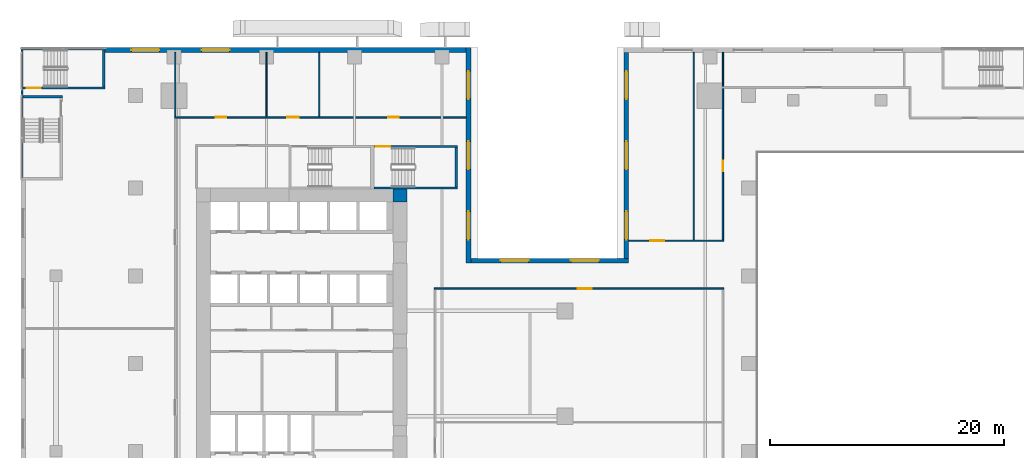
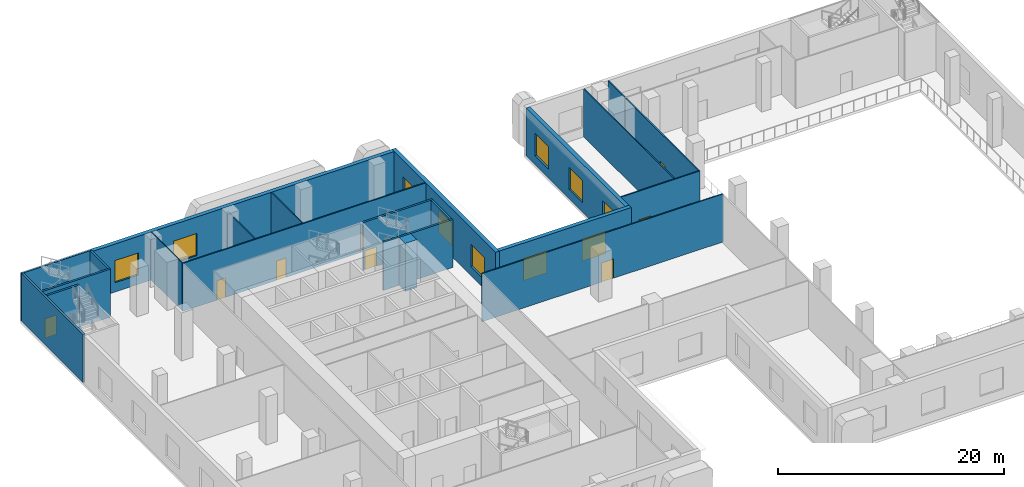
# One storey, part 13 of 23: 22 walls, 10 windows, 8 doors, 18 openings.
"""IFC4 building model written with IfcOpenShell, lengths in metres."""

from ifc_helpers import new_model, si_unit, direction, frame, frame_2d, origin, place, context, subcontext, project, spatial, rectangle, extrude, source, transform, mapped, material, layer, layer_set, type_object, element, fill, save


model = new_model("IFC4")

# Units and contexts
model_context = context("Model", 3, precision=1e-05, world=origin(), true_north=direction((0.0, 1.0)))
body_context = subcontext(model_context, "Body", "Model", "MODEL_VIEW")
ifc_project = project(units=[si_unit("LENGTHUNIT", "METRE"), si_unit("AREAUNIT", "SQUARE_METRE"), si_unit("VOLUMEUNIT", "CUBIC_METRE"), si_unit("PLANEANGLEUNIT", "RADIAN"), si_unit("MASSUNIT", "GRAM", prefix="KILO")], contexts=[model_context])

# Site, building, storey
site_placement = place(None, origin())
site = spatial("IfcSite", under=ifc_project, at=site_placement, CompositionType="ELEMENT")
building_placement = place(site_placement, origin())
building = spatial("IfcBuilding", under=site, at=building_placement, Name="Khomas Fold Tower", CompositionType="ELEMENT")
storey_placement = place(building_placement, frame((0.0, 0.0, 7.5)))
storey = spatial("IfcBuildingStorey", under=building, at=storey_placement, Name="L01", CompositionType="ELEMENT", Elevation=7.5)

# Wall
ifc_material_1 = material(Name="Concrete C70/85", Category="concrete")
ifc_layer_1 = layer(ifc_material_1, 1.10009765625)
ifc_layer_set_1 = layer_set([ifc_layer_1], Name="Concrete C70/85")
wall_type_1 = type_object("IfcWallType", Name="Core corner wall 1100", PredefinedType="SHEAR", material=ifc_layer_set_1)
shared_shape_1 = source(origin(), body_context, "Body", "SweptSolid", [
    extrude(rectangle(XDim=1.199951171875, YDim=1.10009765625, at=frame_2d((0.60009765625, 0.0))), origin(), (0.0, 0.0, 1.0), 5.199951171875),
])
wall_1_placement = place(storey_placement, frame((22.800048828125, 41.35009765625, 0.0), z_axis=(0.0, 0.0, 1.0), x_axis=(1.0, 0.0, 0.0)))
element("IfcWall", 1, at=wall_1_placement, inside=storey, type_object=wall_type_1, Name="Core wall CW-L-NE-B2", PredefinedType="SHEAR", context=body_context, shape_type="MappedRepresentation", body=[
    mapped(shared_shape_1, transform((0.0, 0.0, 0.0))),
])

# Wall, opening, door
ifc_material_2 = material(Name="Concrete C30/37", Category="concrete")
ifc_layer_2 = layer(ifc_material_2, 0.199951171875)
ifc_layer_set_2 = layer_set([ifc_layer_2], Name="Concrete C30/37")
wall_type_2 = type_object("IfcWallType", Name="Stair wall PW5 200", PredefinedType="PARTITIONING", material=ifc_layer_set_2)
shared_shape_2 = source(origin(), body_context, "Body", "SweptSolid", [
    extrude(rectangle(XDim=7.0, YDim=0.199951171875, at=frame_2d((3.5, 0.0))), origin(), (0.0, 0.0, 1.0), 5.199951171875),
])
wall_2_placement = place(storey_placement, frame((-8.800048828125, 50.550048828125, 0.0), z_axis=(0.0, 0.0, 1.0), x_axis=(1.0, 0.0, 0.0)))
wall_2 = element("IfcWall", 2, at=wall_2_placement, inside=storey, type_object=wall_type_2, Name="Stair wall", PredefinedType="PARTITIONING", context=body_context, shape_type="MappedRepresentation", body=[
    mapped(shared_shape_2, transform((0.0, 0.0, 0.0))),
])
shared_shape_3 = source(origin(), body_context, "Body", "SweptSolid", [
    extrude(rectangle(XDim=1.199951171875, YDim=2.10009765625, at=frame_2d((0.60009765625, 1.050048828125))), frame((0.0, 0.10986328125, 0.0), z_axis=(0.0, -1.0, 0.0), x_axis=(1.0, 0.0, 0.0)), (0.0, 0.0, 1.0), 0.219970703125),
])
opening_1_placement = place(wall_2_placement, frame((0.300048828125, 0.0, 0.0)))
opening_1 = element("IfcOpeningElement", 3, at=opening_1_placement, cuts=wall_2, Name="Opening 0018", PredefinedType="OPENING", context=body_context, shape_type="MappedRepresentation", body=[
    mapped(shared_shape_3, transform((0.0, 0.0, 0.0))),
])
ifc_material_3 = material(Name="Steel door leaf", Category="steel")
door_type_1 = type_object("IfcDoorType", Name="Stair door 1200x2100 right-hand", OperationType="SINGLE_SWING_RIGHT", PredefinedType="DOOR", material=ifc_material_3)
shared_shape_4 = source(origin(), body_context, "Body", "SweptSolid", [
    extrude(rectangle(XDim=1.199951171875, YDim=2.10009765625, at=frame_2d((0.60009765625, 1.050048828125))), frame((0.0, 0.02490234375, 0.0), z_axis=(0.0, -1.0, 0.0), x_axis=(1.0, 0.0, 0.0)), (0.0, 0.0, 1.0), 0.050048828125),
])
door_1_placement = place(opening_1_placement, origin())
door_1 = element("IfcDoor", 4, at=door_1_placement, inside=storey, type_object=door_type_1, Name="Stair door", OperationType="SINGLE_SWING_RIGHT", OverallHeight=2.10009765625, OverallWidth=1.199951171875, PredefinedType="DOOR", context=body_context, shape_type="MappedRepresentation", body=[
    mapped(shared_shape_4, transform((0.0, 0.0, 0.0))),
])
fill(opening_1, door_1)

ifc_material_4 = material(Name="Concrete C50/60", Category="concrete")
ifc_layer_3 = layer(ifc_material_4, 0.199951171875)
ifc_layer_set_3 = layer_set([ifc_layer_3], Name="Concrete C50/60")
wall_type_3 = type_object("IfcWallType", Name="Stair wall 200", PredefinedType="SHEAR", material=ifc_layer_set_3)
shared_shape_5 = source(origin(), body_context, "Body", "SweptSolid", [
    extrude(rectangle(XDim=7.10009765625, YDim=0.199951171875, at=frame_2d((3.550048828125, 0.0))), origin(), (0.0, 0.0, 1.0), 5.199951171875),
])
wall_3_placement = place(storey_placement, frame((21.199951171875, 45.550048828125, 0.0), z_axis=(0.0, 0.0, 1.0), x_axis=(1.0, 0.0, 0.0)))
wall_3 = element("IfcWall", 5, at=wall_3_placement, inside=storey, type_object=wall_type_3, Name="Stair wall SW-ST3-N", PredefinedType="SHEAR", context=body_context, shape_type="MappedRepresentation", body=[
    mapped(shared_shape_5, transform((0.0, 0.0, 0.0))),
])
opening_2_placement = place(wall_3_placement, frame((0.14990234375, 0.0, 0.0)))
opening_2 = element("IfcOpeningElement", 6, at=opening_2_placement, cuts=wall_3, Name="Opening SD-ST3", PredefinedType="OPENING", context=body_context, shape_type="MappedRepresentation", body=[
    mapped(shared_shape_3, transform((0.0, 0.0, 0.0))),
])
ifc_material_5 = material(Name="Steel door leaf", Category="steel")
door_type_2 = type_object("IfcDoorType", Name="Stair door 1200x2100 left-hand", OperationType="SINGLE_SWING_LEFT", PredefinedType="DOOR", material=ifc_material_5)
door_2_placement = place(opening_2_placement, origin())
door_2 = element("IfcDoor", 7, at=door_2_placement, inside=storey, type_object=door_type_2, Name="Stair door", OperationType="SINGLE_SWING_LEFT", OverallHeight=2.10009765625, OverallWidth=1.199951171875, PredefinedType="DOOR", context=body_context, shape_type="MappedRepresentation", body=[
    mapped(shared_shape_4, transform((0.0, 0.0, 0.0))),
])
fill(opening_2, door_2)

# Walls
wall_4_placement = place(storey_placement, frame((21.199951171875, 42.0, 0.0), z_axis=(0.0, 0.0, 1.0), x_axis=(1.0, 0.0, 0.0)))
element("IfcWall", 8, at=wall_4_placement, inside=storey, type_object=wall_type_3, Name="Stair wall SW-ST3-S", PredefinedType="SHEAR", context=body_context, shape_type="MappedRepresentation", body=[
    mapped(shared_shape_5, transform((0.0, 0.0, 0.0))),
])
shared_shape_6 = source(origin(), body_context, "Body", "SweptSolid", [
    extrude(rectangle(XDim=3.349853515625, YDim=0.199951171875, at=frame_2d((1.6748046875, 0.0))), origin(), (0.0, 0.0, 1.0), 5.199951171875),
])
wall_5_placement = place(storey_placement, frame((28.199951171875, 42.10009765625, 0.0), z_axis=(0.0, 0.0, 1.0), x_axis=(0.0, 1.0, 0.0)))
element("IfcWall", 9, at=wall_5_placement, inside=storey, type_object=wall_type_3, Name="Stair wall SW-ST3-E", PredefinedType="SHEAR", context=body_context, shape_type="MappedRepresentation", body=[
    mapped(shared_shape_6, transform((0.0, 0.0, 0.0))),
])

# Wall, openings, windows
ifc_material_6 = material(Name="Concrete C40/50", Category="concrete")
ifc_layer_4 = layer(ifc_material_6, 0.39990234375)
ifc_layer_set_4 = layer_set([ifc_layer_4], Name="Concrete C40/50")
wall_type_4 = type_object("IfcWallType", Name="Stone-clad concrete wall 400", PredefinedType="SOLIDWALL", material=ifc_layer_set_4)
shared_shape_7 = source(origin(), body_context, "Body", "SweptSolid", [
    extrude(rectangle(XDim=17.60009765625, YDim=0.39990234375, at=frame_2d((8.800048828125, 0.0))), origin(), (0.0, 0.0, 1.0), 5.199951171875),
])
wall_6_placement = place(storey_placement, frame((42.75, 53.60009765625, 0.0), z_axis=(0.0, 0.0, 1.0), x_axis=(0.0, -1.0, 0.0)))
wall_6 = element("IfcWall", 10, at=wall_6_placement, inside=storey, type_object=wall_type_4, Name="Podium wall", PredefinedType="SOLIDWALL", context=body_context, shape_type="MappedRepresentation", body=[
    mapped(shared_shape_7, transform((0.0, 0.0, 0.0))),
])
shared_shape_8 = source(origin(), body_context, "Body", "SweptSolid", [
    extrude(rectangle(XDim=2.39990234375, YDim=2.39990234375, at=frame_2d((1.199951171875, 1.199951171875))), frame((0.0, 0.2099609375, 0.0), z_axis=(0.0, -1.0, 0.0), x_axis=(1.0, 0.0, 0.0)), (0.0, 0.0, 1.0), 0.419921875),
])
opening_3_placement = place(wall_6_placement, frame((1.60009765625, 0.0, 1.0)))
opening_3 = element("IfcOpeningElement", 11, at=opening_3_placement, cuts=wall_6, Name="Opening PD-WN", PredefinedType="OPENING", context=body_context, shape_type="MappedRepresentation", body=[
    mapped(shared_shape_8, transform((0.0, 0.0, 0.0))),
])
opening_4_placement = place(wall_6_placement, frame((7.60009765625, 0.0, 1.0)))
opening_4 = element("IfcOpeningElement", 12, at=opening_4_placement, cuts=wall_6, Name="Opening PD-WN", PredefinedType="OPENING", context=body_context, shape_type="MappedRepresentation", body=[
    mapped(shared_shape_8, transform((0.0, 0.0, 0.0))),
])
opening_5_placement = place(wall_6_placement, frame((13.60009765625, 0.0, 1.0)))
opening_5 = element("IfcOpeningElement", 13, at=opening_5_placement, cuts=wall_6, Name="Opening PD-WN", PredefinedType="OPENING", context=body_context, shape_type="MappedRepresentation", body=[
    mapped(shared_shape_8, transform((0.0, 0.0, 0.0))),
])
ifc_material_7 = material(Name="Aluminium framed double glazing", Category="aluminium")
window_type = type_object("IfcWindowType", Name="Podium window 2400 x 2400", PartitioningType="SINGLE_PANEL", PredefinedType="WINDOW", material=ifc_material_7)
shared_shape_9 = source(origin(), body_context, "Body", "SweptSolid", [
    extrude(rectangle(XDim=2.39990234375, YDim=2.39990234375, at=frame_2d((1.199951171875, 1.199951171875))), frame((0.0, 0.030029296875, 0.0), z_axis=(0.0, -1.0, 0.0), x_axis=(1.0, 0.0, 0.0)), (0.0, 0.0, 1.0), 0.06005859375),
])
window_1_placement = place(opening_3_placement, origin())
window_1 = element("IfcWindow", 14, at=window_1_placement, inside=storey, type_object=window_type, Name="Podium window", OverallHeight=2.39990234375, OverallWidth=2.39990234375, PartitioningType="SINGLE_PANEL", PredefinedType="WINDOW", context=body_context, shape_type="MappedRepresentation", body=[
    mapped(shared_shape_9, transform((0.0, 0.0, 0.0))),
])
fill(opening_3, window_1)
window_2_placement = place(opening_4_placement, origin())
window_2 = element("IfcWindow", 15, at=window_2_placement, inside=storey, type_object=window_type, Name="Podium window", OverallHeight=2.39990234375, OverallWidth=2.39990234375, PartitioningType="SINGLE_PANEL", PredefinedType="WINDOW", context=body_context, shape_type="MappedRepresentation", body=[
    mapped(shared_shape_9, transform((0.0, 0.0, 0.0))),
])
fill(opening_4, window_2)
window_3_placement = place(opening_5_placement, origin())
window_3 = element("IfcWindow", 16, at=window_3_placement, inside=storey, type_object=window_type, Name="Podium window", OverallHeight=2.39990234375, OverallWidth=2.39990234375, PartitioningType="SINGLE_PANEL", PredefinedType="WINDOW", context=body_context, shape_type="MappedRepresentation", body=[
    mapped(shared_shape_9, transform((0.0, 0.0, 0.0))),
])
fill(opening_5, window_3)

shared_shape_10 = source(origin(), body_context, "Body", "SweptSolid", [
    extrude(rectangle(XDim=13.5, YDim=0.39990234375, at=frame_2d((6.75, 0.0))), origin(), (0.0, 0.0, 1.0), 5.199951171875),
])
wall_7_placement = place(storey_placement, frame((42.949951171875, 35.800048828125, 0.0), z_axis=(0.0, 0.0, 1.0), x_axis=(-1.0, 0.0, 0.0)))
wall_7 = element("IfcWall", 17, at=wall_7_placement, inside=storey, type_object=wall_type_4, Name="Podium wall", PredefinedType="SOLIDWALL", context=body_context, shape_type="MappedRepresentation", body=[
    mapped(shared_shape_10, transform((0.0, 0.0, 0.0))),
])
opening_6_placement = place(wall_7_placement, frame((2.550048828125, 0.0, 1.0)))
opening_6 = element("IfcOpeningElement", 18, at=opening_6_placement, cuts=wall_7, Name="Opening PD-WN", PredefinedType="OPENING", context=body_context, shape_type="MappedRepresentation", body=[
    mapped(shared_shape_8, transform((0.0, 0.0, 0.0))),
])
opening_7_placement = place(wall_7_placement, frame((8.550048828125, 0.0, 1.0)))
opening_7 = element("IfcOpeningElement", 19, at=opening_7_placement, cuts=wall_7, Name="Opening PD-WN", PredefinedType="OPENING", context=body_context, shape_type="MappedRepresentation", body=[
    mapped(shared_shape_8, transform((0.0, 0.0, 0.0))),
])
window_4_placement = place(opening_6_placement, origin())
window_4 = element("IfcWindow", 20, at=window_4_placement, inside=storey, type_object=window_type, Name="Podium window", OverallHeight=2.39990234375, OverallWidth=2.39990234375, PartitioningType="SINGLE_PANEL", PredefinedType="WINDOW", context=body_context, shape_type="MappedRepresentation", body=[
    mapped(shared_shape_9, transform((0.0, 0.0, 0.0))),
])
fill(opening_6, window_4)
window_5_placement = place(opening_7_placement, origin())
window_5 = element("IfcWindow", 21, at=window_5_placement, inside=storey, type_object=window_type, Name="Podium window", OverallHeight=2.39990234375, OverallWidth=2.39990234375, PartitioningType="SINGLE_PANEL", PredefinedType="WINDOW", context=body_context, shape_type="MappedRepresentation", body=[
    mapped(shared_shape_9, transform((0.0, 0.0, 0.0))),
])
fill(opening_7, window_5)

shared_shape_11 = source(origin(), body_context, "Body", "SweptSolid", [
    extrude(rectangle(XDim=18.39990234375, YDim=0.39990234375, at=frame_2d((9.199951171875, 0.0))), origin(), (0.0, 0.0, 1.0), 5.199951171875),
])
wall_8_placement = place(storey_placement, frame((29.25, 35.60009765625, 0.0), z_axis=(0.0, 0.0, 1.0), x_axis=(0.0, 1.0, 0.0)))
wall_8 = element("IfcWall", 22, at=wall_8_placement, inside=storey, type_object=wall_type_4, Name="Podium wall", PredefinedType="SOLIDWALL", context=body_context, shape_type="MappedRepresentation", body=[
    mapped(shared_shape_11, transform((0.0, 0.0, 0.0))),
])
opening_8_placement = place(wall_8_placement, frame((2.0, 0.0, 1.0)))
opening_8 = element("IfcOpeningElement", 23, at=opening_8_placement, cuts=wall_8, Name="Opening PD-WN", PredefinedType="OPENING", context=body_context, shape_type="MappedRepresentation", body=[
    mapped(shared_shape_8, transform((0.0, 0.0, 0.0))),
])
opening_9_placement = place(wall_8_placement, frame((8.0, 0.0, 1.0)))
opening_9 = element("IfcOpeningElement", 24, at=opening_9_placement, cuts=wall_8, Name="Opening PD-WN", PredefinedType="OPENING", context=body_context, shape_type="MappedRepresentation", body=[
    mapped(shared_shape_8, transform((0.0, 0.0, 0.0))),
])
opening_10_placement = place(wall_8_placement, frame((14.0, 0.0, 1.0)))
opening_10 = element("IfcOpeningElement", 25, at=opening_10_placement, cuts=wall_8, Name="Opening PD-WN", PredefinedType="OPENING", context=body_context, shape_type="MappedRepresentation", body=[
    mapped(shared_shape_8, transform((0.0, 0.0, 0.0))),
])
window_6_placement = place(opening_8_placement, origin())
window_6 = element("IfcWindow", 26, at=window_6_placement, inside=storey, type_object=window_type, Name="Podium window", OverallHeight=2.39990234375, OverallWidth=2.39990234375, PartitioningType="SINGLE_PANEL", PredefinedType="WINDOW", context=body_context, shape_type="MappedRepresentation", body=[
    mapped(shared_shape_9, transform((0.0, 0.0, 0.0))),
])
fill(opening_8, window_6)
window_7_placement = place(opening_9_placement, origin())
window_7 = element("IfcWindow", 27, at=window_7_placement, inside=storey, type_object=window_type, Name="Podium window", OverallHeight=2.39990234375, OverallWidth=2.39990234375, PartitioningType="SINGLE_PANEL", PredefinedType="WINDOW", context=body_context, shape_type="MappedRepresentation", body=[
    mapped(shared_shape_9, transform((0.0, 0.0, 0.0))),
])
fill(opening_9, window_7)
window_8_placement = place(opening_10_placement, origin())
window_8 = element("IfcWindow", 28, at=window_8_placement, inside=storey, type_object=window_type, Name="Podium window", OverallHeight=2.39990234375, OverallWidth=2.39990234375, PartitioningType="SINGLE_PANEL", PredefinedType="WINDOW", context=body_context, shape_type="MappedRepresentation", body=[
    mapped(shared_shape_9, transform((0.0, 0.0, 0.0))),
])
fill(opening_10, window_8)

shared_shape_12 = source(origin(), body_context, "Body", "SweptSolid", [
    extrude(rectangle(XDim=30.840087890625, YDim=0.39990234375, at=frame_2d((15.419921875, 0.0))), origin(), (0.0, 0.0, 1.0), 5.199951171875),
])
wall_9_placement = place(storey_placement, frame((29.050048828125, 53.800048828125, 0.0), z_axis=(0.0, 0.0, 1.0), x_axis=(-1.0, 0.0, 0.0)))
wall_9 = element("IfcWall", 29, at=wall_9_placement, inside=storey, type_object=wall_type_4, Name="Podium wall", PredefinedType="SOLIDWALL", context=body_context, shape_type="MappedRepresentation", body=[
    mapped(shared_shape_12, transform((0.0, 0.0, 0.0))),
])
opening_11_placement = place(wall_9_placement, frame((20.199951171875, 0.0, 1.0)))
opening_11 = element("IfcOpeningElement", 30, at=opening_11_placement, cuts=wall_9, Name="Opening PD-WN", PredefinedType="OPENING", context=body_context, shape_type="MappedRepresentation", body=[
    mapped(shared_shape_8, transform((0.0, 0.0, 0.0))),
])
opening_12_placement = place(wall_9_placement, frame((26.199951171875, 0.0, 1.0)))
opening_12 = element("IfcOpeningElement", 31, at=opening_12_placement, cuts=wall_9, Name="Opening PD-WN", PredefinedType="OPENING", context=body_context, shape_type="MappedRepresentation", body=[
    mapped(shared_shape_8, transform((0.0, 0.0, 0.0))),
])
window_9_placement = place(opening_11_placement, origin())
window_9 = element("IfcWindow", 32, at=window_9_placement, inside=storey, type_object=window_type, Name="Podium window", OverallHeight=2.39990234375, OverallWidth=2.39990234375, PartitioningType="SINGLE_PANEL", PredefinedType="WINDOW", context=body_context, shape_type="MappedRepresentation", body=[
    mapped(shared_shape_9, transform((0.0, 0.0, 0.0))),
])
fill(opening_11, window_9)
window_10_placement = place(opening_12_placement, origin())
window_10 = element("IfcWindow", 33, at=window_10_placement, inside=storey, type_object=window_type, Name="Podium window", OverallHeight=2.39990234375, OverallWidth=2.39990234375, PartitioningType="SINGLE_PANEL", PredefinedType="WINDOW", context=body_context, shape_type="MappedRepresentation", body=[
    mapped(shared_shape_9, transform((0.0, 0.0, 0.0))),
])
fill(opening_12, window_10)

# Walls
shared_shape_13 = source(origin(), body_context, "Body", "SweptSolid", [
    extrude(rectangle(XDim=7.199951171875, YDim=0.199951171875, at=frame_2d((3.60009765625, 0.0))), origin(), (0.0, 0.0, 1.0), 5.199951171875),
])
wall_10_placement = place(storey_placement, frame((-9.0, 53.89990234375, 0.0), z_axis=(0.0, 0.0, 1.0), x_axis=(1.0, 0.0, 0.0)))
element("IfcWall", 34, at=wall_10_placement, inside=storey, type_object=wall_type_2, Name="Stair wall", PredefinedType="PARTITIONING", context=body_context, shape_type="MappedRepresentation", body=[
    mapped(shared_shape_13, transform((0.0, 0.0, 0.0))),
])
shared_shape_14 = source(origin(), body_context, "Body", "SweptSolid", [
    extrude(rectangle(XDim=10.900146484375, YDim=0.199951171875, at=frame_2d((5.4501953125, 0.0))), origin(), (0.0, 0.0, 1.0), 5.199951171875),
])
wall_11_placement = place(storey_placement, frame((-8.89990234375, 42.89990234375, 0.0), z_axis=(0.0, 0.0, 1.0), x_axis=(0.0, 1.0, 0.0)))
element("IfcWall", 35, at=wall_11_placement, inside=storey, type_object=wall_type_2, Name="Stair wall", PredefinedType="PARTITIONING", context=body_context, shape_type="MappedRepresentation", body=[
    mapped(shared_shape_14, transform((0.0, 0.0, 0.0))),
])
shared_shape_15 = source(origin(), body_context, "Body", "SweptSolid", [
    extrude(rectangle(XDim=3.150146484375, YDim=0.199951171875, at=frame_2d((1.5751953125, 0.0))), origin(), (0.0, 0.0, 1.0), 5.199951171875),
])
wall_12_placement = place(storey_placement, frame((-1.89990234375, 50.64990234375, 0.0), z_axis=(0.0, 0.0, 1.0), x_axis=(0.0, 1.0, 0.0)))
element("IfcWall", 36, at=wall_12_placement, inside=storey, type_object=wall_type_2, Name="Stair wall", PredefinedType="PARTITIONING", context=body_context, shape_type="MappedRepresentation", body=[
    mapped(shared_shape_15, transform((0.0, 0.0, 0.0))),
])
shared_shape_16 = source(origin(), body_context, "Body", "SweptSolid", [
    extrude(rectangle(XDim=3.35009765625, YDim=0.199951171875, at=frame_2d((1.675048828125, 0.0))), origin(), (0.0, 0.0, 1.0), 5.199951171875),
])
wall_13_placement = place(storey_placement, frame((-8.800048828125, 49.800048828125, 0.0), z_axis=(0.0, 0.0, 1.0), x_axis=(1.0, 0.0, 0.0)))
element("IfcWall", 37, at=wall_13_placement, inside=storey, type_object=wall_type_2, Name="Stair wall", PredefinedType="PARTITIONING", context=body_context, shape_type="MappedRepresentation", body=[
    mapped(shared_shape_16, transform((0.0, 0.0, 0.0))),
])

# Wall, opening, door
ifc_material_8 = material(Name="Plasterboard partition")
ifc_layer_5 = layer(ifc_material_8, 0.125)
ifc_layer_set_5 = layer_set([ifc_layer_5], Name="Plasterboard partition")
wall_type_5 = type_object("IfcWallType", Name="Partition PW2 125", PredefinedType="PARTITIONING", material=ifc_layer_set_5)
shared_shape_17 = source(origin(), body_context, "Body", "SweptSolid", [
    extrude(rectangle(XDim=24.699951171875, YDim=0.125, at=frame_2d((12.35009765625, 0.0))), origin(), (0.0, 0.0, 1.0), 5.199951171875),
])
wall_14_placement = place(storey_placement, frame((26.35009765625, 33.39990234375, 0.0), z_axis=(0.0, 0.0, 1.0), x_axis=(1.0, 0.0, 0.0)))
wall_14 = element("IfcWall", 38, at=wall_14_placement, inside=storey, type_object=wall_type_5, Name="Partition", PredefinedType="PARTITIONING", context=body_context, shape_type="MappedRepresentation", body=[
    mapped(shared_shape_17, transform((0.0, 0.0, 0.0))),
])
shared_shape_18 = source(origin(), body_context, "Body", "SweptSolid", [
    extrude(rectangle(XDim=1.199951171875, YDim=2.10009765625, at=frame_2d((0.60009765625, 1.050048828125))), frame((0.0, 0.072509765625, 0.0), z_axis=(0.0, -1.0, 0.0), x_axis=(1.0, 0.0, 0.0)), (0.0, 0.0, 1.0), 0.14501953125),
])
opening_13_placement = place(wall_14_placement, frame((12.25, 0.0, 0.0)))
opening_13 = element("IfcOpeningElement", 39, at=opening_13_placement, cuts=wall_14, Name="Opening 0001", PredefinedType="OPENING", context=body_context, shape_type="MappedRepresentation", body=[
    mapped(shared_shape_18, transform((0.0, 0.0, 0.0))),
])
ifc_material_9 = material(Name="Timber door leaf", Category="wood")
door_type_3 = type_object("IfcDoorType", Name="Door 1200x2100 right-hand", OperationType="SINGLE_SWING_RIGHT", PredefinedType="DOOR", material=ifc_material_9)
door_3_placement = place(opening_13_placement, origin())
door_3 = element("IfcDoor", 40, at=door_3_placement, inside=storey, type_object=door_type_3, Name="Door", OperationType="SINGLE_SWING_RIGHT", OverallHeight=2.10009765625, OverallWidth=1.199951171875, PredefinedType="DOOR", context=body_context, shape_type="MappedRepresentation", body=[
    mapped(shared_shape_4, transform((0.0, 0.0, 0.0))),
])
fill(opening_13, door_3)

shared_shape_19 = source(origin(), body_context, "Body", "SweptSolid", [
    extrude(rectangle(XDim=8.10009765625, YDim=0.125, at=frame_2d((4.050048828125, 0.0))), origin(), (0.0, 0.0, 1.0), 5.199951171875),
])
wall_15_placement = place(storey_placement, frame((42.949951171875, 37.5, 0.0), z_axis=(0.0, 0.0, 1.0), x_axis=(1.0, 0.0, 0.0)))
wall_15 = element("IfcWall", 41, at=wall_15_placement, inside=storey, type_object=wall_type_5, Name="Partition", PredefinedType="PARTITIONING", context=body_context, shape_type="MappedRepresentation", body=[
    mapped(shared_shape_19, transform((0.0, 0.0, 0.0))),
])
opening_14_placement = place(wall_15_placement, frame((1.85009765625, 0.0, 0.0)))
opening_14 = element("IfcOpeningElement", 42, at=opening_14_placement, cuts=wall_15, Name="Opening 0001", PredefinedType="OPENING", context=body_context, shape_type="MappedRepresentation", body=[
    mapped(shared_shape_18, transform((0.0, 0.0, 0.0))),
])
door_4_placement = place(opening_14_placement, origin())
door_4 = element("IfcDoor", 43, at=door_4_placement, inside=storey, type_object=door_type_3, Name="Door", OperationType="SINGLE_SWING_RIGHT", OverallHeight=2.10009765625, OverallWidth=1.199951171875, PredefinedType="DOOR", context=body_context, shape_type="MappedRepresentation", body=[
    mapped(shared_shape_4, transform((0.0, 0.0, 0.0))),
])
fill(opening_14, door_4)

# Wall
ifc_material_10 = material(Name="Plasterboard partition")
ifc_layer_6 = layer(ifc_material_10, 0.10009765625)
ifc_layer_set_6 = layer_set([ifc_layer_6], Name="Plasterboard partition")
wall_type_6 = type_object("IfcWallType", Name="Partition PW1 100", PredefinedType="PARTITIONING", material=ifc_layer_set_6)
shared_shape_20 = source(origin(), body_context, "Body", "SweptSolid", [
    extrude(rectangle(XDim=16.0, YDim=0.10009765625, at=frame_2d((8.0, 0.0))), origin(), (0.0, 0.0, 1.0), 5.199951171875),
])
wall_16_placement = place(storey_placement, frame((48.5, 37.60009765625, 0.0), z_axis=(0.0, 0.0, 1.0), x_axis=(0.0, 1.0, 0.0)))
element("IfcWall", 44, at=wall_16_placement, inside=storey, type_object=wall_type_6, Name="Partition", PredefinedType="PARTITIONING", context=body_context, shape_type="MappedRepresentation", body=[
    mapped(shared_shape_20, transform((0.0, 0.0, 0.0))),
])

# Wall, opening, door
shared_shape_21 = source(origin(), body_context, "Body", "SweptSolid", [
    extrude(rectangle(XDim=12.89990234375, YDim=0.125, at=frame_2d((6.449951171875, 0.0))), origin(), (0.0, 0.0, 1.0), 5.199951171875),
])
wall_17_placement = place(storey_placement, frame((51.0, 37.60009765625, 0.0), z_axis=(0.0, 0.0, 1.0), x_axis=(0.0, 1.0, 0.0)))
wall_17 = element("IfcWall", 45, at=wall_17_placement, inside=storey, type_object=wall_type_5, Name="Partition", PredefinedType="PARTITIONING", context=body_context, shape_type="MappedRepresentation", body=[
    mapped(shared_shape_21, transform((0.0, 0.0, 0.0))),
])
shared_shape_22 = source(origin(), body_context, "Body", "SweptSolid", [
    extrude(rectangle(XDim=0.89990234375, YDim=2.10009765625, at=frame_2d((0.449951171875, 1.050048828125))), frame((0.0, 0.072509765625, 0.0), z_axis=(0.0, -1.0, 0.0), x_axis=(1.0, 0.0, 0.0)), (0.0, 0.0, 1.0), 0.14501953125),
])
opening_15_placement = place(wall_17_placement, frame((5.85009765625, 0.0, 0.0)))
opening_15 = element("IfcOpeningElement", 46, at=opening_15_placement, cuts=wall_17, Name="Opening 0008", PredefinedType="OPENING", context=body_context, shape_type="MappedRepresentation", body=[
    mapped(shared_shape_22, transform((0.0, 0.0, 0.0))),
])
ifc_material_11 = material(Name="Timber door leaf", Category="wood")
door_type_4 = type_object("IfcDoorType", Name="Door 900x2100 right-hand", OperationType="SINGLE_SWING_RIGHT", PredefinedType="DOOR", material=ifc_material_11)
shared_shape_23 = source(origin(), body_context, "Body", "SweptSolid", [
    extrude(rectangle(XDim=0.89990234375, YDim=2.10009765625, at=frame_2d((0.449951171875, 1.050048828125))), frame((0.0, 0.02490234375, 0.0), z_axis=(0.0, -1.0, 0.0), x_axis=(1.0, 0.0, 0.0)), (0.0, 0.0, 1.0), 0.050048828125),
])
door_5_placement = place(opening_15_placement, origin())
door_5 = element("IfcDoor", 47, at=door_5_placement, inside=storey, type_object=door_type_4, Name="Door", OperationType="SINGLE_SWING_RIGHT", OverallHeight=2.10009765625, OverallWidth=0.89990234375, PredefinedType="DOOR", context=body_context, shape_type="MappedRepresentation", body=[
    mapped(shared_shape_23, transform((0.0, 0.0, 0.0))),
])
fill(opening_15, door_5)

# Wall, openings, doors
shared_shape_24 = source(origin(), body_context, "Body", "SweptSolid", [
    extrude(rectangle(XDim=24.900146484375, YDim=0.125, at=frame_2d((12.4501953125, 0.0))), origin(), (0.0, 0.0, 1.0), 5.199951171875),
])
wall_18_placement = place(storey_placement, frame((4.14990234375, 48.050048828125, 0.0), z_axis=(0.0, 0.0, 1.0), x_axis=(1.0, 0.0, 0.0)))
wall_18 = element("IfcWall", 48, at=wall_18_placement, inside=storey, type_object=wall_type_5, Name="Partition", PredefinedType="PARTITIONING", context=body_context, shape_type="MappedRepresentation", body=[
    mapped(shared_shape_24, transform((0.0, 0.0, 0.0))),
])
opening_16_placement = place(wall_18_placement, frame((3.5, 0.0, 0.0)))
opening_16 = element("IfcOpeningElement", 49, at=opening_16_placement, cuts=wall_18, Name="Opening 0004", PredefinedType="OPENING", context=body_context, shape_type="MappedRepresentation", body=[
    mapped(shared_shape_22, transform((0.0, 0.0, 0.0))),
])
shared_shape_25 = source(origin(), body_context, "Body", "SweptSolid", [
    extrude(rectangle(XDim=1.0, YDim=2.10009765625, at=frame_2d((0.5, 1.050048828125))), frame((0.0, 0.072509765625, 0.0), z_axis=(0.0, -1.0, 0.0), x_axis=(1.0, 0.0, 0.0)), (0.0, 0.0, 1.0), 0.14501953125),
])
opening_17_placement = place(wall_18_placement, frame((9.60009765625, 0.0, 0.0)))
opening_17 = element("IfcOpeningElement", 50, at=opening_17_placement, cuts=wall_18, Name="Opening 0014", PredefinedType="OPENING", context=body_context, shape_type="MappedRepresentation", body=[
    mapped(shared_shape_25, transform((0.0, 0.0, 0.0))),
])
opening_18_placement = place(wall_18_placement, frame((18.25, 0.0, 0.0)))
opening_18 = element("IfcOpeningElement", 51, at=opening_18_placement, cuts=wall_18, Name="Opening 0008", PredefinedType="OPENING", context=body_context, shape_type="MappedRepresentation", body=[
    mapped(shared_shape_22, transform((0.0, 0.0, 0.0))),
])
ifc_material_12 = material(Name="Timber door leaf", Category="wood")
door_type_5 = type_object("IfcDoorType", Name="WC door 900x2100 right-hand", OperationType="SINGLE_SWING_RIGHT", PredefinedType="DOOR", material=ifc_material_12)
door_6_placement = place(opening_16_placement, origin())
door_6 = element("IfcDoor", 52, at=door_6_placement, inside=storey, type_object=door_type_5, Name="WC door", OperationType="SINGLE_SWING_RIGHT", OverallHeight=2.10009765625, OverallWidth=0.89990234375, PredefinedType="DOOR", context=body_context, shape_type="MappedRepresentation", body=[
    mapped(shared_shape_23, transform((0.0, 0.0, 0.0))),
])
fill(opening_16, door_6)
door_7_placement = place(opening_18_placement, origin())
door_7 = element("IfcDoor", 53, at=door_7_placement, inside=storey, type_object=door_type_4, Name="Door", OperationType="SINGLE_SWING_RIGHT", OverallHeight=2.10009765625, OverallWidth=0.89990234375, PredefinedType="DOOR", context=body_context, shape_type="MappedRepresentation", body=[
    mapped(shared_shape_23, transform((0.0, 0.0, 0.0))),
])
fill(opening_18, door_7)
ifc_material_13 = material(Name="Timber door leaf", Category="wood")
door_type_6 = type_object("IfcDoorType", Name="WC door 1000x2100 left-hand", OperationType="SINGLE_SWING_LEFT", PredefinedType="DOOR", material=ifc_material_13)
shared_shape_26 = source(origin(), body_context, "Body", "SweptSolid", [
    extrude(rectangle(XDim=1.0, YDim=2.10009765625, at=frame_2d((0.5, 1.050048828125))), frame((0.0, 0.02490234375, 0.0), z_axis=(0.0, -1.0, 0.0), x_axis=(1.0, 0.0, 0.0)), (0.0, 0.0, 1.0), 0.050048828125),
])
door_8_placement = place(opening_17_placement, origin())
door_8 = element("IfcDoor", 54, at=door_8_placement, inside=storey, type_object=door_type_6, Name="WC door", OperationType="SINGLE_SWING_LEFT", OverallHeight=2.10009765625, OverallWidth=1.0, PredefinedType="DOOR", context=body_context, shape_type="MappedRepresentation", body=[
    mapped(shared_shape_26, transform((0.0, 0.0, 0.0))),
])
fill(opening_17, door_8)

# Walls
shared_shape_27 = source(origin(), body_context, "Body", "SweptSolid", [
    extrude(rectangle(XDim=5.4501953125, YDim=0.10009765625, at=frame_2d((2.72509765625, 0.0))), origin(), (0.0, 0.0, 1.0), 5.199951171875),
])
for number, where, z_axis, x_axis, name in (
    (55, (4.199951171875, 48.14990234375, 0.0), (0.0, 0.0, 1.0), (0.0, 1.0, 0.0), "Partition"),
    (56, (16.5, 48.14990234375, 0.0), (0.0, 0.0, 1.0), (0.0, 1.0, 0.0), "Partition"),
):
    element("IfcWall", number, at=place(storey_placement, frame(where, z_axis=z_axis, x_axis=x_axis)), inside=storey, type_object=wall_type_6, Name=name, PredefinedType="PARTITIONING", context=body_context, shape_type="MappedRepresentation", body=[
        mapped(shared_shape_27, transform((0.0, 0.0, 0.0))),
    ])
shared_shape_28 = source(origin(), body_context, "Body", "SweptSolid", [
    extrude(rectangle(XDim=5.4501953125, YDim=0.10009765625, at=frame_2d((2.72509765625, 0.0))), origin(), (0.0, 0.0, 1.0), 4.699951171875),
])
wall_19_placement = place(storey_placement, frame((12.0, 48.14990234375, 0.0), z_axis=(0.0, 0.0, 1.0), x_axis=(0.0, 1.0, 0.0)))
element("IfcWall", 57, at=wall_19_placement, inside=storey, type_object=wall_type_6, Name="Partition", PredefinedType="PARTITIONING", context=body_context, shape_type="MappedRepresentation", body=[
    mapped(shared_shape_28, transform((0.0, 0.0, 0.0))),
])
shared_shape_29 = source(origin(), body_context, "Body", "SweptSolid", [
    extrude(rectangle(XDim=2.900146484375, YDim=0.10009765625, at=frame_2d((1.4501953125, 0.0))), origin(), (0.0, 0.0, 1.0), 5.199951171875),
])
wall_20_placement = place(storey_placement, frame((51.0, 50.699951171875, 0.0), z_axis=(0.0, 0.0, 1.0), x_axis=(0.0, 1.0, 0.0)))
element("IfcWall", 58, at=wall_20_placement, inside=storey, type_object=wall_type_6, Name="Partition", PredefinedType="PARTITIONING", context=body_context, shape_type="MappedRepresentation", body=[
    mapped(shared_shape_29, transform((0.0, 0.0, 0.0))),
])

save(model, "model.ifc")
